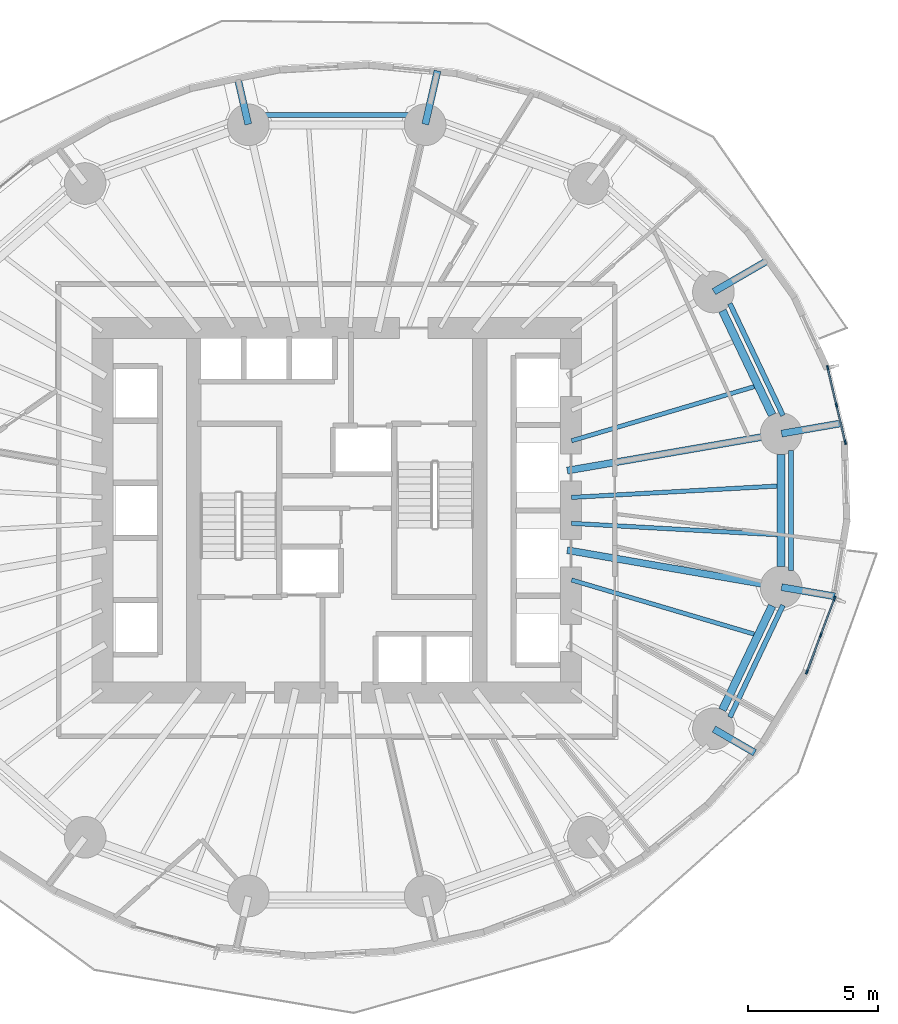
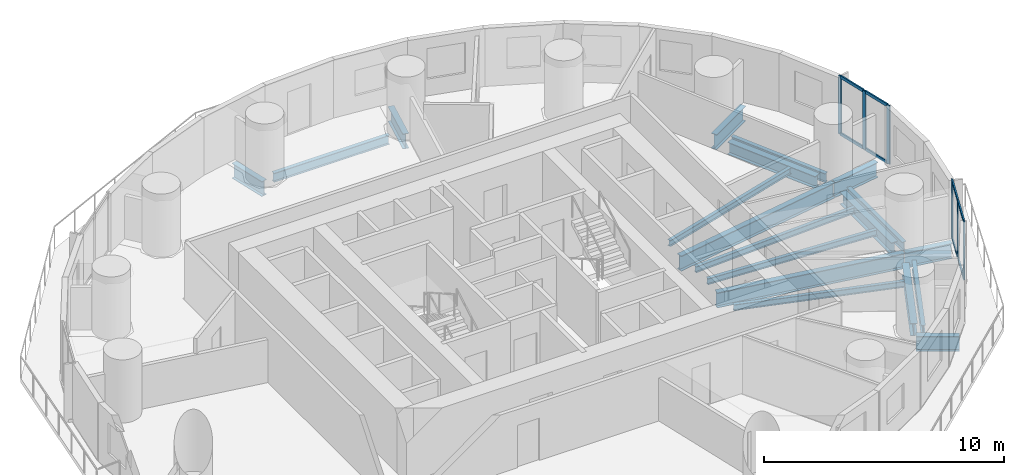
# One storey, part 5 of 14: 19 beams, 14 members, 2 elements without a shape of their own.
"""IFC4 building model written with IfcOpenShell, lengths in metres."""

from ifc_helpers import new_model, si_unit, direction, frame, origin, origin_2d, place, context, subcontext, project, spatial, rectangle, i_section, extrude, material, material_profile, profile_set, type_object, element, aggregate, save


model = new_model("IFC4")

# Units and contexts
model_context = context("Model", 3, precision=1e-05, world=origin(), true_north=direction((0.0, 1.0)))
body_context = subcontext(model_context, "Body", "Model", "MODEL_VIEW")
ifc_project = project(units=[si_unit("LENGTHUNIT", "METRE"), si_unit("AREAUNIT", "SQUARE_METRE"), si_unit("VOLUMEUNIT", "CUBIC_METRE"), si_unit("PLANEANGLEUNIT", "RADIAN"), si_unit("MASSUNIT", "GRAM", prefix="KILO")], contexts=[model_context])

# Site, building, storey
site_placement = place(None, origin())
site = spatial("IfcSite", under=ifc_project, at=site_placement, CompositionType="ELEMENT")
building_placement = place(site_placement, origin())
building = spatial("IfcBuilding", under=site, at=building_placement, Name="Veldorim Arch Residences", CompositionType="ELEMENT")
storey_placement = place(building_placement, frame((0.0, 0.0, 34.39990234375)))
storey = spatial("IfcBuildingStorey", under=building, at=storey_placement, Name="L09", CompositionType="ELEMENT", Elevation=34.39990234375)

# Beams
ifc_material_1 = material(Name="Steel S355", Category="steel")
ifc_material_profile_1 = material_profile(ifc_material_1, i_section(OverallWidth=0.30712890625, OverallDepth=0.6201171875, WebThickness=0.01416015625, FlangeThickness=0.023681640625, at=origin_2d()), Name="UB610x305x179")
ifc_profile_set_1 = profile_set([ifc_material_profile_1], Name="Steel S355")
beam_type_1 = type_object("IfcBeamType", Name="Structural Steel Beam UB610x305x179", PredefinedType="BEAM", material=ifc_profile_set_1)
for number, where, z_axis, x_axis, name in (
    (1, (48.72119140625, 27.66796875, -0.550048828125), (-0.430786696724, 0.902453778276, 0.0), (-0.902453778276, -0.430786696724, 0.0), "L09 perimeter ring tie beam 01"),
    (2, (46.812255859375, 16.3330078125, -0.550048828125), (0.430786696724, 0.902453778276, 0.0), (-0.902453778276, 0.430786696724, 0.0), "L09 perimeter ring tie beam 15"),
):
    element("IfcBeam", number, at=place(storey_placement, frame(where, z_axis=z_axis, x_axis=x_axis)), inside=storey, type_object=beam_type_1, Name=name, PredefinedType="BEAM", context=body_context, shape_type="SweptSolid", body=[
        extrude(i_section(OverallWidth=0.30712890625, OverallDepth=0.6201171875, WebThickness=0.01416015625, FlangeThickness=0.023681640625, at=origin_2d()), origin(), (0.0, 0.0, 1.0), 4.431396484375),
    ])
beam_1_placement = place(storey_placement, frame((49.065673828125, 21.85400390625, -0.550048828125), z_axis=(0.0, 1.0, 0.0), x_axis=(-1.0, 0.0, 0.0)))
element("IfcBeam", 3, at=beam_1_placement, inside=storey, type_object=beam_type_1, Name="L09 perimeter ring tie beam 16", PredefinedType="BEAM", context=body_context, shape_type="SweptSolid", body=[
    extrude(i_section(OverallWidth=0.30712890625, OverallDepth=0.6201171875, WebThickness=0.01416015625, FlangeThickness=0.023681640625, at=origin_2d()), origin(), (0.0, 0.0, 1.0), 4.2919921875),
])
ifc_material_2 = material(Name="Steel S355", Category="steel")
ifc_material_profile_2 = material_profile(ifc_material_2, i_section(OverallWidth=0.26806640625, OverallDepth=0.769775390625, WebThickness=0.015625, FlangeThickness=0.025390625, at=origin_2d()), Name="UB762x267x197")
ifc_profile_set_2 = profile_set([ifc_material_profile_2], Name="Steel S355")
beam_type_2 = type_object("IfcBeamType", Name="Structural Steel GIRDER UB762x267x197", PredefinedType="USERDEFINED", material=ifc_profile_set_2)
beam_2_placement = place(storey_placement, frame((40.852294921875, 25.528076171875, -0.624755859375), z_axis=(0.985427548249, 0.170095699979, 0.0), x_axis=(-0.170095699979, 0.985427548249, 0.0)))
element("IfcBeam", 4, at=beam_2_placement, inside=storey, type_object=beam_type_2, Name="L09 radial floor girder 01", ObjectType="GIRDER", PredefinedType="USERDEFINED", context=body_context, shape_type="SweptSolid", body=[
    extrude(i_section(OverallWidth=0.26806640625, OverallDepth=0.769775390625, WebThickness=0.015625, FlangeThickness=0.025390625, at=origin_2d()), origin(), (0.0, 0.0, 1.0), 8.314697265625),
])
beam_3_placement = place(storey_placement, frame((49.08544921875, 26.94921875, -0.624755859375), z_axis=(0.985409805025, 0.170198461099, 0.0), x_axis=(-0.170198461099, 0.985409805025, 0.0)))
element("IfcBeam", 5, at=beam_3_placement, inside=storey, type_object=beam_type_2, Name="L09 radial edge cantilever girder 01", ObjectType="GIRDER", PredefinedType="USERDEFINED", context=body_context, shape_type="SweptSolid", body=[
    extrude(i_section(OverallWidth=0.26806640625, OverallDepth=0.769775390625, WebThickness=0.015625, FlangeThickness=0.025390625, at=origin_2d()), origin(), (0.0, 0.0, 1.0), 2.29931640625),
])
beam_4_placement = place(storey_placement, frame((46.48486328125, 32.399169921875, -0.624755859375), z_axis=(0.865111527822, 0.501579549453, 0.0), x_axis=(-0.501579549453, 0.865111527822, 0.0)))
element("IfcBeam", 6, at=beam_4_placement, inside=storey, type_object=beam_type_2, Name="L09 radial edge cantilever girder 02", ObjectType="GIRDER", PredefinedType="USERDEFINED", context=body_context, shape_type="SweptSolid", body=[
    extrude(i_section(OverallWidth=0.26806640625, OverallDepth=0.769775390625, WebThickness=0.015625, FlangeThickness=0.025390625, at=origin_2d()), origin(), (0.0, 0.0, 1.0), 2.426513671875),
])
beam_5_placement = place(storey_placement, frame((35.399169921875, 38.829345703125, -0.624755859375), z_axis=(0.22340367913, 0.974726010811, 0.0), x_axis=(-0.974726010811, 0.22340367913, 0.0)))
element("IfcBeam", 7, at=beam_5_placement, inside=storey, type_object=beam_type_2, Name="L09 radial edge cantilever girder 04", ObjectType="GIRDER", PredefinedType="USERDEFINED", context=body_context, shape_type="SweptSolid", body=[
    extrude(i_section(OverallWidth=0.26806640625, OverallDepth=0.769775390625, WebThickness=0.015625, FlangeThickness=0.025390625, at=origin_2d()), origin(), (0.0, 0.0, 1.0), 2.10693359375),
])
beam_6_placement = place(storey_placement, frame((28.600830078125, 38.829345703125, -0.624755859375), z_axis=(-0.223405058442, 0.974725694676, 0.0), x_axis=(-0.974725694676, -0.223405058442, 0.0)))
element("IfcBeam", 8, at=beam_6_placement, inside=storey, type_object=beam_type_2, Name="L09 radial edge cantilever girder 05", ObjectType="GIRDER", PredefinedType="USERDEFINED", context=body_context, shape_type="SweptSolid", body=[
    extrude(i_section(OverallWidth=0.26806640625, OverallDepth=0.769775390625, WebThickness=0.015625, FlangeThickness=0.025390625, at=origin_2d()), origin(), (0.0, 0.0, 1.0), 1.839111328125),
])
beam_7_placement = place(storey_placement, frame((46.48486328125, 15.600830078125, -0.624755859375), z_axis=(0.86511292658, -0.501577136904, 0.0), x_axis=(0.501577136904, 0.86511292658, 0.0)))
element("IfcBeam", 9, at=beam_7_placement, inside=storey, type_object=beam_type_2, Name="L09 radial edge cantilever girder 15", ObjectType="GIRDER", PredefinedType="USERDEFINED", context=body_context, shape_type="SweptSolid", body=[
    extrude(i_section(OverallWidth=0.26806640625, OverallDepth=0.769775390625, WebThickness=0.015625, FlangeThickness=0.025390625, at=origin_2d()), origin(), (0.0, 0.0, 1.0), 1.814697265625),
])
beam_8_placement = place(storey_placement, frame((40.852294921875, 22.471923828125, -0.624755859375), z_axis=(0.985427548249, -0.170095699979, 0.0), x_axis=(0.170095699979, 0.985427548249, 0.0)))
element("IfcBeam", 10, at=beam_8_placement, inside=storey, type_object=beam_type_2, Name="L09 radial floor girder 16", ObjectType="GIRDER", PredefinedType="USERDEFINED", context=body_context, shape_type="SweptSolid", body=[
    extrude(i_section(OverallWidth=0.26806640625, OverallDepth=0.769775390625, WebThickness=0.015625, FlangeThickness=0.025390625, at=origin_2d()), origin(), (0.0, 0.0, 1.0), 8.314697265625),
])
beam_9_placement = place(storey_placement, frame((49.08544921875, 21.05078125, -0.624755859375), z_axis=(0.985426816784, -0.170099937575, 0.0), x_axis=(0.170099937575, 0.985426816784, 0.0)))
element("IfcBeam", 11, at=beam_9_placement, inside=storey, type_object=beam_type_2, Name="L09 radial edge cantilever girder 16", ObjectType="GIRDER", PredefinedType="USERDEFINED", context=body_context, shape_type="SweptSolid", body=[
    extrude(i_section(OverallWidth=0.26806640625, OverallDepth=0.769775390625, WebThickness=0.015625, FlangeThickness=0.025390625, at=origin_2d()), origin(), (0.0, 0.0, 1.0), 2.075439453125),
])
ifc_material_3 = material(Name="Steel S355", Category="steel")
ifc_material_profile_3 = material_profile(ifc_material_3, i_section(OverallWidth=0.165771484375, OverallDepth=0.306640625, WebThickness=0.006591796875, FlangeThickness=0.01171875, at=origin_2d()), Name="UB305x165x46")
ifc_profile_set_3 = profile_set([ifc_material_profile_3], Name="Steel S355")
beam_type_3 = type_object("IfcBeamType", Name="Structural Steel Joist UB305x165x46", PredefinedType="JOIST", material=ifc_profile_set_3)
for number, where, z_axis, x_axis, name in (
    (12, (41.019287109375, 26.67333984375, -0.393310546875), (0.958766778771, 0.284194060325, 0.0), (-0.284194060325, 0.958766778771, 0.0), "L09 secondary radial floor joist 01-1"),
    (13, (41.019287109375, 21.32666015625, -0.393310546875), (0.958766778771, -0.284194060325, 0.0), (0.284194060325, 0.958766778771, 0.0), "L09 secondary radial floor joist 15-2"),
):
    element("IfcBeam", number, at=place(storey_placement, frame(where, z_axis=z_axis, x_axis=x_axis)), inside=storey, type_object=beam_type_3, Name=name, PredefinedType="JOIST", context=body_context, shape_type="SweptSolid", body=[
        extrude(i_section(OverallWidth=0.165771484375, OverallDepth=0.306640625, WebThickness=0.006591796875, FlangeThickness=0.01171875, at=origin_2d()), origin(), (0.0, 0.0, 1.0), 7.3115234375),
    ])
for number, where, z_axis, x_axis, name in (
    (14, (41.02001953125, 23.501708984375, -0.393310546875), (0.998478371109, -0.055144740699, 0.0), (0.055144740699, 0.998478371109, 0.0), "L09 secondary radial floor joist 16-1"),
    (15, (41.02001953125, 24.498291015625, -0.393310546875), (0.998478371109, 0.055144740699, 0.0), (-0.055144740699, 0.998478371109, 0.0), "L09 secondary radial floor joist 16-2"),
):
    element("IfcBeam", number, at=place(storey_placement, frame(where, z_axis=z_axis, x_axis=x_axis)), inside=storey, type_object=beam_type_3, Name=name, PredefinedType="JOIST", context=body_context, shape_type="SweptSolid", body=[
        extrude(i_section(OverallWidth=0.165771484375, OverallDepth=0.306640625, WebThickness=0.006591796875, FlangeThickness=0.01171875, at=origin_2d()), origin(), (0.0, 0.0, 1.0), 7.898193359375),
    ])
ifc_material_4 = material(Name="Steel S355", Category="steel")
ifc_material_profile_4 = material_profile(ifc_material_4, i_section(OverallWidth=0.19140625, OverallDepth=0.4599609375, WebThickness=0.010009765625, FlangeThickness=0.01611328125, at=origin_2d()), Name="UB457x191x82")
ifc_profile_set_4 = profile_set([ifc_material_profile_4], Name="Steel S355")
beam_type_4 = type_object("IfcBeamType", Name="Structural Steel Spandrel UB457x191x82", PredefinedType="SPANDREL", material=ifc_profile_set_4)
beam_10_placement = place(storey_placement, frame((49.13818359375, 27.646484375, -0.489990234375), z_axis=(-0.42886940858, 0.903366498374, 0.0), x_axis=(-0.903366498374, -0.42886940858, 0.0)))
element("IfcBeam", 16, at=beam_10_placement, inside=storey, type_object=beam_type_4, Name="L09 perimeter chord spandrel beam 01", PredefinedType="SPANDREL", context=body_context, shape_type="SweptSolid", body=[
    extrude(i_section(OverallWidth=0.19140625, OverallDepth=0.4599609375, WebThickness=0.010009765625, FlangeThickness=0.01611328125, at=origin_2d()), origin(), (0.0, 0.0, 1.0), 4.7568359375),
])
beam_11_placement = place(storey_placement, frame((34.775390625, 39.180419921875, -0.489990234375), z_axis=(-1.0, 0.0, 0.0), x_axis=(0.0, -1.0, 0.0)))
element("IfcBeam", 17, at=beam_11_placement, inside=storey, type_object=beam_type_4, Name="L09 perimeter chord spandrel beam 04", PredefinedType="SPANDREL", context=body_context, shape_type="SweptSolid", body=[
    extrude(i_section(OverallWidth=0.19140625, OverallDepth=0.4599609375, WebThickness=0.010009765625, FlangeThickness=0.01611328125, at=origin_2d()), origin(), (0.0, 0.0, 1.0), 5.55078125),
])
beam_12_placement = place(storey_placement, frame((47.09814453125, 16.056396484375, -0.489990234375), z_axis=(0.42886940858, 0.903366498374, 0.0), x_axis=(-0.903366498374, 0.42886940858, 0.0)))
element("IfcBeam", 18, at=beam_12_placement, inside=storey, type_object=beam_type_4, Name="L09 perimeter chord spandrel beam 15", PredefinedType="SPANDREL", context=body_context, shape_type="SweptSolid", body=[
    extrude(i_section(OverallWidth=0.19140625, OverallDepth=0.4599609375, WebThickness=0.010009765625, FlangeThickness=0.01611328125, at=origin_2d()), origin(), (0.0, 0.0, 1.0), 4.7568359375),
])
beam_13_placement = place(storey_placement, frame((49.440185546875, 21.693603515625, -0.489990234375), z_axis=(0.0, 1.0, 0.0), x_axis=(-1.0, 0.0, 0.0)))
element("IfcBeam", 19, at=beam_13_placement, inside=storey, type_object=beam_type_4, Name="L09 perimeter chord spandrel beam 16", PredefinedType="SPANDREL", context=body_context, shape_type="SweptSolid", body=[
    extrude(i_section(OverallWidth=0.19140625, OverallDepth=0.4599609375, WebThickness=0.010009765625, FlangeThickness=0.01611328125, at=origin_2d()), origin(), (0.0, 0.0, 1.0), 4.61279296875),
])

# Curtain wall, members
ifc_material_5 = material(Name="Aluminium", Category="aluminium")
curtain_wall_type = type_object("IfcCurtainWallType", Name="Zone 1 Acoustic Low-E Unitised Curtain Wall", PredefinedType="NOTDEFINED", material=ifc_material_5)
curtain_wall_1_placement = place(storey_placement, origin())
curtain_wall_1 = element("IfcCurtainWall", 20, at=curtain_wall_1_placement, inside=storey, type_object=curtain_wall_type, Name="L09 unitised curtain wall bay 01", PredefinedType="NOTDEFINED")
ifc_material_6 = material(Name="Aluminium", Category="aluminium")
ifc_material_profile_5 = material_profile(ifc_material_6, rectangle(XDim=0.06494140625, YDim=0.175048828125, at=origin_2d()), Name="ALU_MUL_65x175")
ifc_profile_set_5 = profile_set([ifc_material_profile_5], Name="Aluminium")
member_type_1 = type_object("IfcMemberType", Name="Zone 1 Acoustic Low-E Unitised Curtain Wall Mullion 65x175", PredefinedType="MULLION", material=ifc_profile_set_5)
member_1_placement = place(storey_placement, frame((50.856689453125, 29.473876953125, 0.0), z_axis=(0.0, 0.0, 1.0), x_axis=(0.973129808051, 0.230257196808, 0.0)))
member_1 = element("IfcMember", 21, at=member_1_placement, type_object=member_type_1, Name="CW-Z1 mullion 1", PredefinedType="MULLION", context=body_context, shape_type="SweptSolid", body=[
    extrude(rectangle(XDim=0.06494140625, YDim=0.175048828125, at=origin_2d()), origin(), (0.0, 0.0, 1.0), 2.960205078125),
])
member_2_placement = place(storey_placement, frame((51.194580078125, 28.044921875, 0.0), z_axis=(0.0, 0.0, 1.0), x_axis=(0.973129808051, 0.230257196808, 0.0)))
member_2 = element("IfcMember", 22, at=member_2_placement, type_object=member_type_1, Name="CW-Z1 mullion 2", PredefinedType="MULLION", context=body_context, shape_type="SweptSolid", body=[
    extrude(rectangle(XDim=0.06494140625, YDim=0.175048828125, at=origin_2d()), origin(), (0.0, 0.0, 1.0), 2.960205078125),
])
member_3_placement = place(storey_placement, frame((51.53271484375, 26.615966796875, 0.0), z_axis=(0.0, 0.0, 1.0), x_axis=(0.973129808051, 0.230257196808, 0.0)))
member_3 = element("IfcMember", 23, at=member_3_placement, type_object=member_type_1, Name="CW-Z1 mullion 3", PredefinedType="MULLION", context=body_context, shape_type="SweptSolid", body=[
    extrude(rectangle(XDim=0.06494140625, YDim=0.175048828125, at=origin_2d()), origin(), (0.0, 0.0, 1.0), 2.960205078125),
])

curtain_wall_2_placement = place(storey_placement, origin())
curtain_wall_2 = element("IfcCurtainWall", 24, at=curtain_wall_2_placement, inside=storey, type_object=curtain_wall_type, Name="L09 unitised curtain wall bay 34", PredefinedType="NOTDEFINED")
member_4_placement = place(storey_placement, frame((51.122314453125, 20.61767578125, 0.0), z_axis=(0.0, 0.0, 1.0), x_axis=(0.9356558675, -0.352913725454, 0.0)))
member_4 = element("IfcMember", 25, at=member_4_placement, type_object=member_type_1, Name="CW-Z1 mullion 1", PredefinedType="MULLION", context=body_context, shape_type="SweptSolid", body=[
    extrude(rectangle(XDim=0.06494140625, YDim=0.175048828125, at=origin_2d()), origin(), (0.0, 0.0, 1.0), 2.960205078125),
])
member_5_placement = place(storey_placement, frame((50.589599609375, 19.205322265625, 0.0), z_axis=(0.0, 0.0, 1.0), x_axis=(0.9356558675, -0.352913725454, 0.0)))
member_5 = element("IfcMember", 26, at=member_5_placement, type_object=member_type_1, Name="CW-Z1 mullion 2", PredefinedType="MULLION", context=body_context, shape_type="SweptSolid", body=[
    extrude(rectangle(XDim=0.06494140625, YDim=0.175048828125, at=origin_2d()), origin(), (0.0, 0.0, 1.0), 2.960205078125),
])
member_6_placement = place(storey_placement, frame((50.056884765625, 17.79296875, 0.0), z_axis=(0.0, 0.0, 1.0), x_axis=(0.9356558675, -0.352913725454, 0.0)))
member_6 = element("IfcMember", 27, at=member_6_placement, type_object=member_type_1, Name="CW-Z1 mullion 3", PredefinedType="MULLION", context=body_context, shape_type="SweptSolid", body=[
    extrude(rectangle(XDim=0.06494140625, YDim=0.175048828125, at=origin_2d()), origin(), (0.0, 0.0, 1.0), 2.960205078125),
])

# Member
ifc_material_7 = material(Name="Aluminium", Category="aluminium")
ifc_material_profile_6 = material_profile(ifc_material_7, rectangle(XDim=0.06494140625, YDim=0.14990234375, at=origin_2d()), Name="ALU_TRN_65x150")
ifc_profile_set_6 = profile_set([ifc_material_profile_6], Name="Aluminium")
member_type_2 = type_object("IfcMemberType", Name="Zone 1 Acoustic Low-E Unitised Curtain Wall Transom 65x150", PredefinedType="USERDEFINED", material=ifc_profile_set_6)
member_7_placement = place(storey_placement, frame((50.864013671875, 29.442138671875, 0.03271484375), z_axis=(0.230319002626, -0.97311518179, 0.0), x_axis=(0.97311518179, 0.230319002626, 0.0)))
member_7 = element("IfcMember", 28, at=member_7_placement, type_object=member_type_2, Name="CW-Z1 transom 1.1", ObjectType="TRANSOM", PredefinedType="USERDEFINED", context=body_context, shape_type="SweptSolid", body=[
    extrude(rectangle(XDim=0.06494140625, YDim=0.14990234375, at=origin_2d()), origin(), (0.0, 0.0, 1.0), 1.403564453125),
])

member_8_placement = place(storey_placement, frame((50.864013671875, 29.442138671875, 2.927490234375), z_axis=(0.230319002626, -0.97311518179, 0.0), x_axis=(0.97311518179, 0.230319002626, 0.0)))
member_8 = element("IfcMember", 29, at=member_8_placement, type_object=member_type_2, Name="CW-Z1 transom 1.2", ObjectType="TRANSOM", PredefinedType="USERDEFINED", context=body_context, shape_type="SweptSolid", body=[
    extrude(rectangle(XDim=0.06494140625, YDim=0.14990234375, at=origin_2d()), origin(), (0.0, 0.0, 1.0), 1.403564453125),
])

member_9_placement = place(storey_placement, frame((51.2021484375, 28.01318359375, 0.03271484375), z_axis=(0.230319002626, -0.97311518179, 0.0), x_axis=(0.97311518179, 0.230319002626, 0.0)))
member_9 = element("IfcMember", 30, at=member_9_placement, type_object=member_type_2, Name="CW-Z1 transom 2.1", ObjectType="TRANSOM", PredefinedType="USERDEFINED", context=body_context, shape_type="SweptSolid", body=[
    extrude(rectangle(XDim=0.06494140625, YDim=0.14990234375, at=origin_2d()), origin(), (0.0, 0.0, 1.0), 1.403564453125),
])

member_10_placement = place(storey_placement, frame((51.2021484375, 28.01318359375, 2.927490234375), z_axis=(0.230319002626, -0.97311518179, 0.0), x_axis=(0.97311518179, 0.230319002626, 0.0)))
member_10 = element("IfcMember", 31, at=member_10_placement, type_object=member_type_2, Name="CW-Z1 transom 2.2", ObjectType="TRANSOM", PredefinedType="USERDEFINED", context=body_context, shape_type="SweptSolid", body=[
    extrude(rectangle(XDim=0.06494140625, YDim=0.14990234375, at=origin_2d()), origin(), (0.0, 0.0, 1.0), 1.403564453125),
])

aggregate(curtain_wall_1, [member_1, member_2, member_3, member_7, member_8, member_9, member_10])

member_11_placement = place(storey_placement, frame((51.11083984375, 20.58740234375, 0.03271484375), z_axis=(-0.352845127387, -0.935681738669, 0.0), x_axis=(0.935681738669, -0.352845127387, 0.0)))
member_11 = element("IfcMember", 32, at=member_11_placement, type_object=member_type_2, Name="CW-Z1 transom 1.1", ObjectType="TRANSOM", PredefinedType="USERDEFINED", context=body_context, shape_type="SweptSolid", body=[
    extrude(rectangle(XDim=0.06494140625, YDim=0.14990234375, at=origin_2d()), origin(), (0.0, 0.0, 1.0), 1.44482421875),
])

member_12_placement = place(storey_placement, frame((51.11083984375, 20.58740234375, 2.927490234375), z_axis=(-0.352845127387, -0.935681738669, 0.0), x_axis=(0.935681738669, -0.352845127387, 0.0)))
member_12 = element("IfcMember", 33, at=member_12_placement, type_object=member_type_2, Name="CW-Z1 transom 1.2", ObjectType="TRANSOM", PredefinedType="USERDEFINED", context=body_context, shape_type="SweptSolid", body=[
    extrude(rectangle(XDim=0.06494140625, YDim=0.14990234375, at=origin_2d()), origin(), (0.0, 0.0, 1.0), 1.44482421875),
])

member_13_placement = place(storey_placement, frame((50.578125, 19.1748046875, 0.03271484375), z_axis=(-0.352900926809, -0.935660694834, 0.0), x_axis=(0.935660694834, -0.352900926809, 0.0)))
member_13 = element("IfcMember", 34, at=member_13_placement, type_object=member_type_2, Name="CW-Z1 transom 2.1", ObjectType="TRANSOM", PredefinedType="USERDEFINED", context=body_context, shape_type="SweptSolid", body=[
    extrude(rectangle(XDim=0.06494140625, YDim=0.14990234375, at=origin_2d()), origin(), (0.0, 0.0, 1.0), 1.444580078125),
])

member_14_placement = place(storey_placement, frame((50.578125, 19.1748046875, 2.927490234375), z_axis=(-0.352900926809, -0.935660694834, 0.0), x_axis=(0.935660694834, -0.352900926809, 0.0)))
member_14 = element("IfcMember", 35, at=member_14_placement, type_object=member_type_2, Name="CW-Z1 transom 2.2", ObjectType="TRANSOM", PredefinedType="USERDEFINED", context=body_context, shape_type="SweptSolid", body=[
    extrude(rectangle(XDim=0.06494140625, YDim=0.14990234375, at=origin_2d()), origin(), (0.0, 0.0, 1.0), 1.444580078125),
])

aggregate(curtain_wall_2, [member_4, member_5, member_6, member_11, member_12, member_13, member_14])

save(model, "model.ifc")
